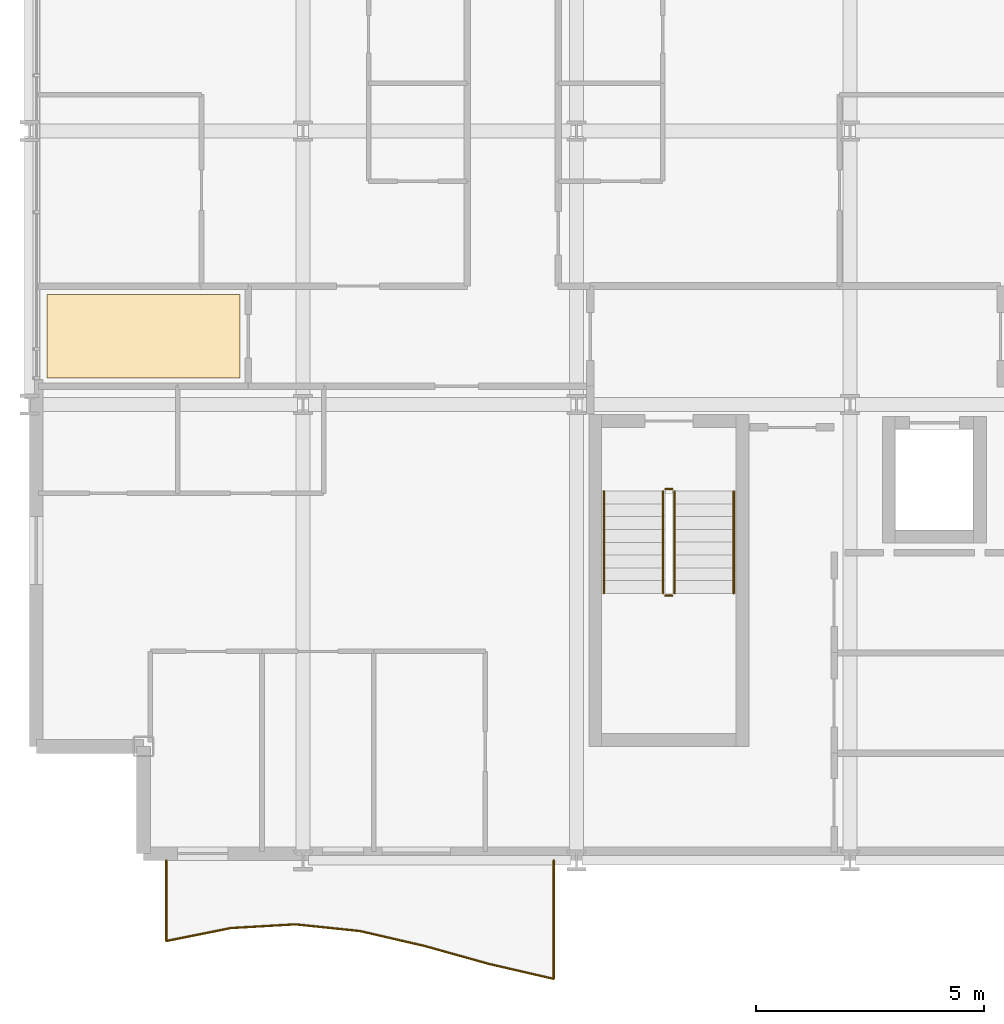
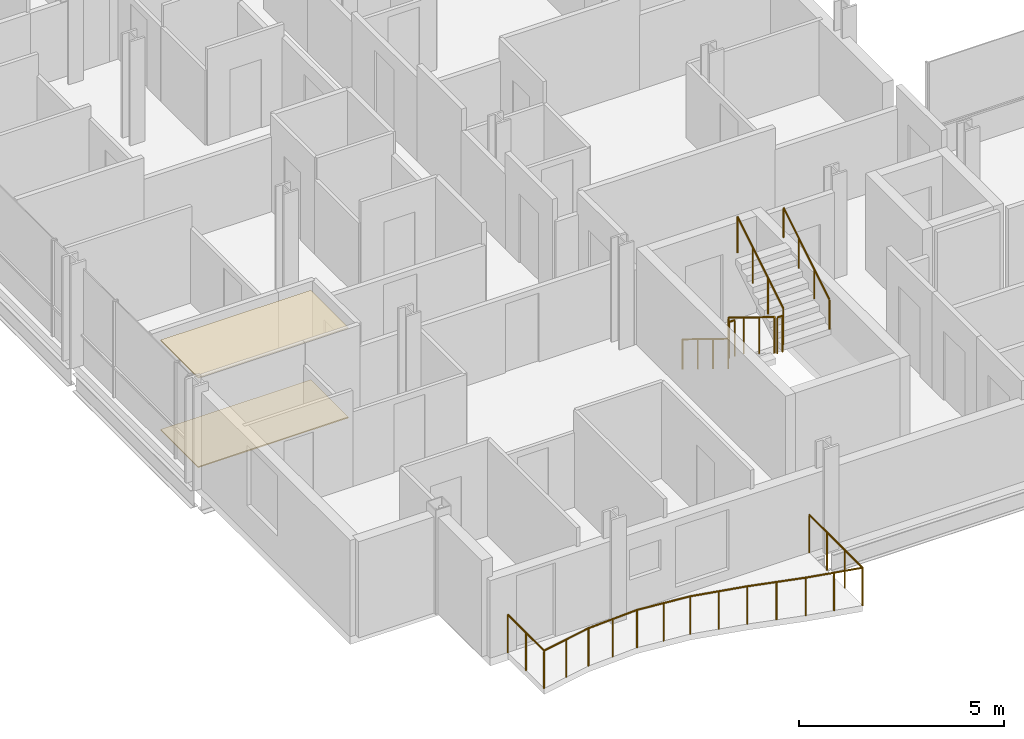
# One storey, part 38 of 40: 7 railings, 2 coverings.
"""IFC4 building model written with IfcOpenShell, lengths in metres."""

from ifc_helpers import new_model, si_unit, direction, frame, origin, origin_2d, place, context, subcontext, project, spatial, polyline, circle, outline, extrude, material, layer, layer_set, type_object, element, save


model = new_model("IFC4")

# Units and contexts
model_context = context("Model", 3, precision=1e-05, world=origin(), true_north=direction((0.0, 1.0)))
body_context = subcontext(model_context, "Body", "Model", "MODEL_VIEW")
ifc_project = project(units=[si_unit("LENGTHUNIT", "METRE"), si_unit("AREAUNIT", "SQUARE_METRE"), si_unit("VOLUMEUNIT", "CUBIC_METRE"), si_unit("PLANEANGLEUNIT", "RADIAN"), si_unit("MASSUNIT", "GRAM", prefix="KILO")], contexts=[model_context])

# Site, building, storey
site_placement = place(None, origin())
site = spatial("IfcSite", under=ifc_project, at=site_placement, CompositionType="ELEMENT")
building_placement = place(site_placement, origin())
building = spatial("IfcBuilding", under=site, at=building_placement, Name="Brevholm Reach", CompositionType="ELEMENT")
storey_placement = place(building_placement, frame((0.0, 0.0, 80.699951171875)))
storey = spatial("IfcBuildingStorey", under=building, at=storey_placement, Name="L23", CompositionType="ELEMENT", Elevation=80.699951171875)

# Coverings
ifc_material_1 = material(Name="Moisture-Resistant Skimmed Gypsum Plasterboard Ceiling", Category="gypsum")
ifc_layer_1 = layer(ifc_material_1, 0.030029296875)
ifc_layer_set_1 = layer_set([ifc_layer_1], Name="Moisture-Resistant Skimmed Gypsum Plasterboard Ceiling")
covering_type_1 = type_object("IfcCoveringType", Name="COV-CLG-GYP", PredefinedType="CEILING", material=ifc_layer_set_1)
covering_1_placement = place(storey_placement, frame((0.0, 0.0, 2.670166015625)))
element("IfcCovering", 1, at=covering_1_placement, inside=storey, type_object=covering_type_1, Name="L23 Suspended Ceiling L23-34", PredefinedType="CEILING", context=body_context, shape_type="SweptSolid", body=[
    extrude(outline(polyline([(0.3798828125, 12.419921875), (4.615966796875, 12.419921875), (4.615966796875, 10.583984375), (0.3798828125, 10.583984375), (0.3798828125, 12.419921875)])), origin(), (0.0, 0.0, 1.0), 0.02978515625),
])
ifc_material_2 = material(Name="Honed Portland-Aggregate Resin Terrazzo Flooring", Category="concrete")
ifc_layer_2 = layer(ifc_material_2, 0.031982421875)
ifc_layer_set_2 = layer_set([ifc_layer_2], Name="Honed Portland-Aggregate Resin Terrazzo Flooring")
covering_type_2 = type_object("IfcCoveringType", Name="COV-FLR-TRZ", PredefinedType="FLOORING", material=ifc_layer_set_2)
covering_2_placement = place(storey_placement, origin())
element("IfcCovering", 2, at=covering_2_placement, inside=storey, type_object=covering_type_2, Name="L23 Floor Finish L23-34", PredefinedType="FLOORING", context=body_context, shape_type="SweptSolid", body=[
    extrude(outline(polyline([(0.3798828125, 12.419921875), (4.615966796875, 12.419921875), (4.615966796875, 10.583984375), (0.3798828125, 10.583984375), (0.3798828125, 12.419921875)])), origin(), (0.0, 0.0, 1.0), 0.031982421875),
])

# Railings
ifc_material_3 = material(Name="Brushed Stainless Steel EN 1.4401 and Laminated Glass", Category="steel")
railing_type_1 = type_object("IfcRailingType", Name="RAL-BALC-1150", PredefinedType="BALUSTRADE", material=ifc_material_3)
railing_1_placement = place(storey_placement, frame((3.0, 0.0, 0.0)))
element("IfcRailing", 3, at=railing_1_placement, inside=storey, type_object=railing_type_1, Name="L23 Guard Balustrade RAL-L23-BAL-SW", PredefinedType="BALUSTRADE", context=body_context, shape_type="SweptSolid", body=[
    extrude(circle(Radius=0.02392578125, at=origin_2d()), frame((0.0, 0.0, 1.1259765625), z_axis=(0.0, -1.0, 0.0), x_axis=(1.0, 0.0, 0.0)), (0.0, 0.0, 1.0), 1.7685546875),
    extrude(circle(Radius=0.02392578125, at=origin_2d()), frame((0.0, -1.7685546875, 1.1259765625), z_axis=(0.980502614423, 0.196506038355, 0.0), x_axis=(-0.196506038355, 0.980502614423, 0.0)), (0.0, 0.0, 1.0), 1.44482421875),
    extrude(circle(Radius=0.02392578125, at=origin_2d()), frame((1.416748046875, -1.484619140625, 1.1259765625), z_axis=(0.998327360231, 0.057814200799, 0.0), x_axis=(-0.057814200799, 0.998327360231, 0.0)), (0.0, 0.0, 1.0), 1.4189453125),
    extrude(circle(Radius=0.02392578125, at=origin_2d()), frame((2.833251953125, -1.402587890625, 1.1259765625), z_axis=(0.994609205974, -0.103694394212, 0.0), x_axis=(0.103694394212, 0.994609205974, 0.0)), (0.0, 0.0, 1.0), 1.42431640625),
    extrude(circle(Radius=0.02392578125, at=origin_2d()), frame((4.25, -1.55029296875, 1.1259765625), z_axis=(0.974323236677, -0.225153792932, 0.0), x_axis=(0.225153792932, 0.974323236677, 0.0)), (0.0, 0.0, 1.0), 1.4541015625),
    extrude(circle(Radius=0.02392578125, at=origin_2d()), frame((5.666748046875, -1.877685546875, 1.1259765625), z_axis=(0.963289212232, -0.268465814578, 0.0), x_axis=(0.268465814578, 0.963289212232, 0.0)), (0.0, 0.0, 1.0), 1.470458984375),
    extrude(circle(Radius=0.02392578125, at=origin_2d()), frame((7.083251953125, -2.2724609375, 1.1259765625), z_axis=(0.974360057668, -0.224994395533, 0.0), x_axis=(0.224994395533, 0.974360057668, 0.0)), (0.0, 0.0, 1.0), 1.4541015625),
    extrude(circle(Radius=0.02392578125, at=origin_2d()), frame((8.5, -2.599609375, 1.1259765625), z_axis=(0.0, 1.0, 0.0), x_axis=(-1.0, 0.0, 0.0)), (0.0, 0.0, 1.0), 2.599609375),
    extrude(circle(Radius=0.02099609375, at=origin_2d()), origin(), (0.0, 0.0, 1.0), 1.101806640625),
    extrude(circle(Radius=0.02099609375, at=origin_2d()), frame((0.0, -0.88427734375, 0.0)), (0.0, 0.0, 1.0), 1.101806640625),
    extrude(circle(Radius=0.02099609375, at=origin_2d()), frame((0.0, -1.7685546875, 0.0)), (0.0, 0.0, 1.0), 1.101806640625),
    extrude(circle(Radius=0.02099609375, at=origin_2d()), frame((0.70849609375, -1.62646484375, 0.0)), (0.0, 0.0, 1.0), 1.101806640625),
    extrude(circle(Radius=0.02099609375, at=origin_2d()), frame((1.416748046875, -1.484619140625, 0.0)), (0.0, 0.0, 1.0), 1.101806640625),
    extrude(circle(Radius=0.02099609375, at=origin_2d()), frame((2.125, -1.443603515625, 0.0)), (0.0, 0.0, 1.0), 1.101806640625),
    extrude(circle(Radius=0.02099609375, at=origin_2d()), frame((2.833251953125, -1.402587890625, 0.0)), (0.0, 0.0, 1.0), 1.101806640625),
    extrude(circle(Radius=0.02099609375, at=origin_2d()), frame((3.54150390625, -1.4765625, 0.0)), (0.0, 0.0, 1.0), 1.101806640625),
    extrude(circle(Radius=0.02099609375, at=origin_2d()), frame((4.25, -1.55029296875, 0.0)), (0.0, 0.0, 1.0), 1.101806640625),
    extrude(circle(Radius=0.02099609375, at=origin_2d()), frame((4.95849609375, -1.7138671875, 0.0)), (0.0, 0.0, 1.0), 1.101806640625),
    extrude(circle(Radius=0.02099609375, at=origin_2d()), frame((5.666748046875, -1.877685546875, 0.0)), (0.0, 0.0, 1.0), 1.101806640625),
    extrude(circle(Radius=0.02099609375, at=origin_2d()), frame((6.375, -2.0751953125, 0.0)), (0.0, 0.0, 1.0), 1.101806640625),
    extrude(circle(Radius=0.02099609375, at=origin_2d()), frame((7.083251953125, -2.2724609375, 0.0)), (0.0, 0.0, 1.0), 1.101806640625),
    extrude(circle(Radius=0.02099609375, at=origin_2d()), frame((7.79150390625, -2.43603515625, 0.0)), (0.0, 0.0, 1.0), 1.101806640625),
    extrude(circle(Radius=0.02099609375, at=origin_2d()), frame((8.5, -2.599609375, 0.0)), (0.0, 0.0, 1.0), 1.101806640625),
    extrude(circle(Radius=0.02099609375, at=origin_2d()), frame((8.5, -1.733154296875, 0.0)), (0.0, 0.0, 1.0), 1.101806640625),
    extrude(circle(Radius=0.02099609375, at=origin_2d()), frame((8.5, -0.866455078125, 0.0)), (0.0, 0.0, 1.0), 1.101806640625),
    extrude(circle(Radius=0.02099609375, at=origin_2d()), frame((8.5, 0.0, 0.0)), (0.0, 0.0, 1.0), 1.101806640625),
])
ifc_material_4 = material(Name="Brushed Stainless Steel EN 1.4401 Continuous Handrail", Category="steel")
railing_type_2 = type_object("IfcRailingType", Name="RAL-HND-950", PredefinedType="HANDRAIL", material=ifc_material_4)
railing_2_placement = place(storey_placement, frame((12.60009765625, 8.10009765625, 0.17236328125)))
element("IfcRailing", 4, at=railing_2_placement, inside=storey, type_object=railing_type_2, Name="L23 ST-1 stair handrail 1", PredefinedType="HANDRAIL", context=body_context, shape_type="SweptSolid", body=[
    extrude(circle(Radius=0.02392578125, at=origin_2d()), frame((0.0, 0.0, 0.8857421875), z_axis=(0.0, -0.85178898068, 0.523885037382), x_axis=(1.0, 0.0, 0.0)), (0.0, 0.0, 1.0), 2.629638671875),
    extrude(circle(Radius=0.02099609375, at=origin_2d()), origin(), (0.0, 0.0, 1.0), 0.86181640625),
    extrude(circle(Radius=0.02099609375, at=origin_2d()), frame((0.0, -0.74658203125, 0.459228515625)), (0.0, 0.0, 1.0), 0.86181640625),
    extrude(circle(Radius=0.02099609375, at=origin_2d()), frame((0.0, -1.493408203125, 0.91845703125)), (0.0, 0.0, 1.0), 0.86181640625),
    extrude(circle(Radius=0.02099609375, at=origin_2d()), frame((0.0, -2.239990234375, 1.377685546875)), (0.0, 0.0, 1.0), 0.86181640625),
])
railing_3_placement = place(storey_placement, frame((15.449951171875, 5.860107421875, 1.72216796875)))
element("IfcRailing", 5, at=railing_3_placement, inside=storey, type_object=railing_type_2, Name="L23 ST-1 stair handrail 2", PredefinedType="HANDRAIL", context=body_context, shape_type="SweptSolid", body=[
    extrude(circle(Radius=0.02392578125, at=origin_2d()), frame((0.0, 0.0, 0.8857421875), z_axis=(0.0, 0.851747552033, 0.523952390591), x_axis=(-1.0, 0.0, 0.0)), (0.0, 0.0, 1.0), 2.6298828125),
    extrude(circle(Radius=0.02099609375, at=origin_2d()), origin(), (0.0, 0.0, 1.0), 0.86181640625),
    extrude(circle(Radius=0.02099609375, at=origin_2d()), frame((0.0, 0.74658203125, 0.459228515625)), (0.0, 0.0, 1.0), 0.86181640625),
    extrude(circle(Radius=0.02099609375, at=origin_2d()), frame((0.0, 1.493408203125, 0.918701171875)), (0.0, 0.0, 1.0), 0.86181640625),
    extrude(circle(Radius=0.02099609375, at=origin_2d()), frame((0.0, 2.239990234375, 1.3779296875)), (0.0, 0.0, 1.0), 0.86181640625),
])
ifc_material_5 = material(Name="Painted Tubular Galvanised Steel S275JR Stair Guard", Category="steel")
railing_type_3 = type_object("IfcRailingType", Name="RAL-STG-1120", PredefinedType="BALUSTRADE", material=ifc_material_5)
railing_4_placement = place(storey_placement, frame((13.89990234375, 8.10009765625, 0.17236328125)))
element("IfcRailing", 6, at=railing_4_placement, inside=storey, type_object=railing_type_3, Name="L23 ST-1 stair guard 1", PredefinedType="BALUSTRADE", context=body_context, shape_type="SweptSolid", body=[
    extrude(circle(Radius=0.02392578125, at=origin_2d()), frame((0.0, 0.0, 1.076171875), z_axis=(0.0, -0.85178898068, 0.523885037382), x_axis=(1.0, 0.0, 0.0)), (0.0, 0.0, 1.0), 2.629638671875),
    extrude(circle(Radius=0.02099609375, at=origin_2d()), origin(), (0.0, 0.0, 1.0), 1.052001953125),
    extrude(circle(Radius=0.02099609375, at=origin_2d()), frame((0.0, -0.74658203125, 0.459228515625)), (0.0, 0.0, 1.0), 1.052001953125),
    extrude(circle(Radius=0.02099609375, at=origin_2d()), frame((0.0, -1.493408203125, 0.91845703125)), (0.0, 0.0, 1.0), 1.052001953125),
    extrude(circle(Radius=0.02099609375, at=origin_2d()), frame((0.0, -2.239990234375, 1.377685546875)), (0.0, 0.0, 1.0), 1.052001953125),
])
railing_5_placement = place(storey_placement, frame((13.949951171875, 5.81005859375, 1.550048828125)))
element("IfcRailing", 7, at=railing_5_placement, inside=storey, type_object=railing_type_3, Name="L23 ST-1 stair guard 2", PredefinedType="BALUSTRADE", context=body_context, shape_type="SweptSolid", body=[
    extrude(circle(Radius=0.02392578125, at=origin_2d()), frame((0.0, 0.0, 1.076171875), z_axis=(1.0, 0.0, 0.0), x_axis=(0.0, 1.0, 0.0)), (0.0, 0.0, 1.0), 0.150146484375),
    extrude(circle(Radius=0.02099609375, at=origin_2d()), origin(), (0.0, 0.0, 1.0), 1.052001953125),
    extrude(circle(Radius=0.02099609375, at=origin_2d()), frame((0.150146484375, 0.0, 0.0)), (0.0, 0.0, 1.0), 1.052001953125),
])
railing_6_placement = place(storey_placement, frame((14.14990234375, 5.860107421875, 1.72216796875)))
element("IfcRailing", 8, at=railing_6_placement, inside=storey, type_object=railing_type_3, Name="L23 ST-1 stair guard 3", PredefinedType="BALUSTRADE", context=body_context, shape_type="SweptSolid", body=[
    extrude(circle(Radius=0.02392578125, at=origin_2d()), frame((0.0, 0.0, 1.076171875), z_axis=(0.0, 0.851747552033, 0.523952390591), x_axis=(-1.0, 0.0, 0.0)), (0.0, 0.0, 1.0), 2.6298828125),
    extrude(circle(Radius=0.02099609375, at=origin_2d()), origin(), (0.0, 0.0, 1.0), 1.052001953125),
    extrude(circle(Radius=0.02099609375, at=origin_2d()), frame((0.0, 0.74658203125, 0.459228515625)), (0.0, 0.0, 1.0), 1.052001953125),
    extrude(circle(Radius=0.02099609375, at=origin_2d()), frame((0.0, 1.493408203125, 0.918701171875)), (0.0, 0.0, 1.0), 1.052001953125),
    extrude(circle(Radius=0.02099609375, at=origin_2d()), frame((0.0, 2.239990234375, 1.3779296875)), (0.0, 0.0, 1.0), 1.052001953125),
])
railing_7_placement = place(storey_placement, frame((13.949951171875, 8.14990234375, 0.0)))
element("IfcRailing", 9, at=railing_7_placement, inside=storey, type_object=railing_type_3, Name="L23 ST-1 stair guard 4", PredefinedType="BALUSTRADE", context=body_context, shape_type="SweptSolid", body=[
    extrude(circle(Radius=0.02392578125, at=origin_2d()), frame((0.0, 0.0, 1.076171875), z_axis=(1.0, 0.0, 0.0), x_axis=(0.0, 1.0, 0.0)), (0.0, 0.0, 1.0), 0.150146484375),
    extrude(circle(Radius=0.02099609375, at=origin_2d()), origin(), (0.0, 0.0, 1.0), 1.052001953125),
    extrude(circle(Radius=0.02099609375, at=origin_2d()), frame((0.150146484375, 0.0, 0.0)), (0.0, 0.0, 1.0), 1.052001953125),
])

save(model, "model.ifc")
